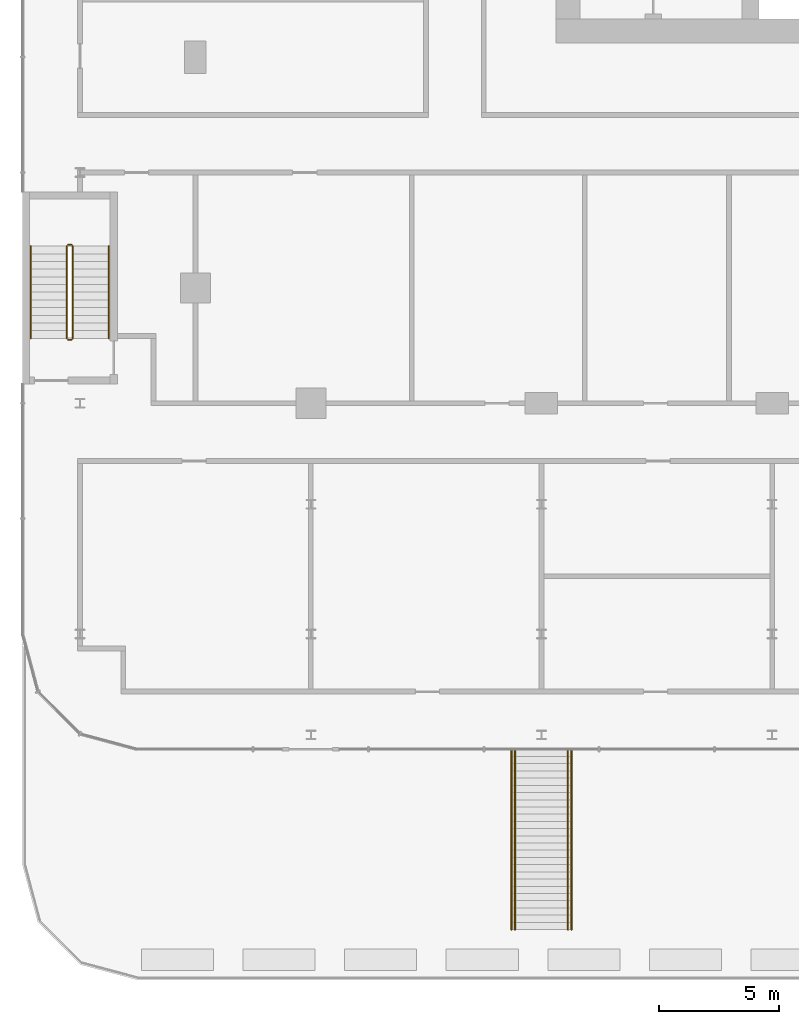
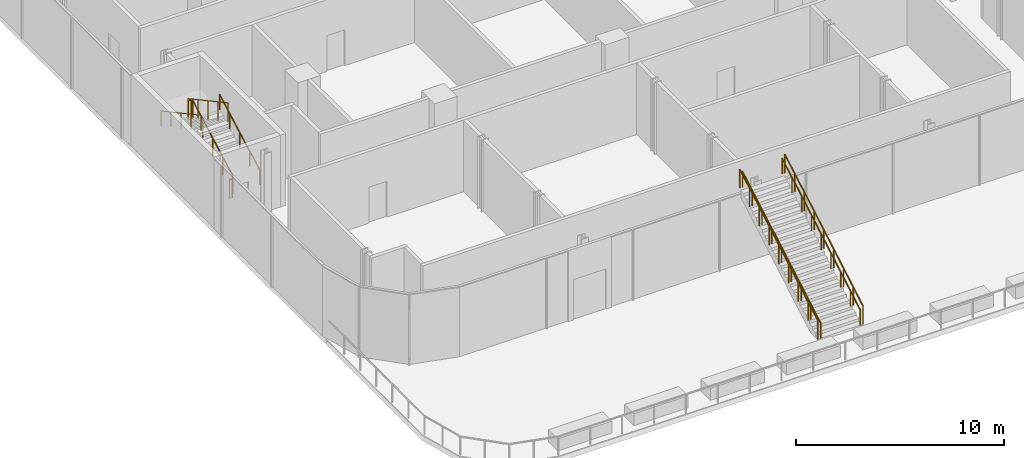
# One storey, part 33 of 38: 10 railings.
"""IFC4 building model written with IfcOpenShell, lengths in metres."""

from ifc_helpers import new_model, si_unit, direction, frame, origin, origin_2d, place, context, subcontext, project, spatial, circle, extrude, material, type_object, element, save


model = new_model("IFC4")

# Units and contexts
model_context = context("Model", 3, precision=1e-05, world=origin(), true_north=direction((0.0, 1.0)))
body_context = subcontext(model_context, "Body", "Model", "MODEL_VIEW")
ifc_project = project(units=[si_unit("LENGTHUNIT", "METRE"), si_unit("AREAUNIT", "SQUARE_METRE"), si_unit("VOLUMEUNIT", "CUBIC_METRE"), si_unit("PLANEANGLEUNIT", "RADIAN"), si_unit("MASSUNIT", "GRAM", prefix="KILO")], contexts=[model_context])

# Site, building, storey
site_placement = place(None, origin())
site = spatial("IfcSite", under=ifc_project, at=site_placement, CompositionType="ELEMENT")
building_placement = place(site_placement, origin())
building = spatial("IfcBuilding", under=site, at=building_placement, Name="Madar Terraces", CompositionType="ELEMENT")
storey_placement = place(building_placement, frame((0.0, 0.0, 15.0)))
storey = spatial("IfcBuildingStorey", under=building, at=storey_placement, Name="L03", CompositionType="ELEMENT", Elevation=15.0)

# Railings
ifc_material_1 = material(Name="Glass, safety glazing, with stainless steel posts", Category="steel")
railing_type_1 = type_object("IfcRailingType", Name="Cascade stair guard 1100", PredefinedType="GUARDRAIL", material=ifc_material_1)
for number, where, name in (
    (1, (13.14990234375, -21.89990234375, 0.173095703125), "Cascade stair guard L04 1"),
    (2, (15.64990234375, -21.89990234375, 0.173095703125), "Cascade stair guard L04 1"),
):
    element("IfcRailing", number, at=place(storey_placement, frame(where)), inside=storey, type_object=railing_type_1, Name=name, PredefinedType="GUARDRAIL", context=body_context, shape_type="SweptSolid", body=[
        extrude(circle(Radius=0.02392578125, at=origin_2d()), frame((0.0, 0.0, 1.076171875), z_axis=(0.0, 0.866186524876, 0.499720826184), x_axis=(-1.0, 0.0, 0.0)), (0.0, 0.0, 1.0), 8.65869140625),
        extrude(circle(Radius=0.02099609375, at=origin_2d()), origin(), (0.0, 0.0, 1.0), 1.052001953125),
        extrude(circle(Radius=0.02099609375, at=origin_2d()), frame((0.0, 0.9375, 0.540771484375)), (0.0, 0.0, 1.0), 1.052001953125),
        extrude(circle(Radius=0.02099609375, at=origin_2d()), frame((0.0, 1.875, 1.081787109375)), (0.0, 0.0, 1.0), 1.052001953125),
        extrude(circle(Radius=0.02099609375, at=origin_2d()), frame((0.0, 2.8125, 1.62255859375)), (0.0, 0.0, 1.0), 1.052001953125),
        extrude(circle(Radius=0.02099609375, at=origin_2d()), frame((0.0, 3.75, 2.16357421875)), (0.0, 0.0, 1.0), 1.052001953125),
        extrude(circle(Radius=0.02099609375, at=origin_2d()), frame((0.0, 4.6875, 2.704345703125)), (0.0, 0.0, 1.0), 1.052001953125),
        extrude(circle(Radius=0.02099609375, at=origin_2d()), frame((0.0, 5.625, 3.2451171875)), (0.0, 0.0, 1.0), 1.052001953125),
        extrude(circle(Radius=0.02099609375, at=origin_2d()), frame((0.0, 6.5625, 3.7861328125)), (0.0, 0.0, 1.0), 1.052001953125),
        extrude(circle(Radius=0.02099609375, at=origin_2d()), frame((0.0, 7.5, 4.326904296875)), (0.0, 0.0, 1.0), 1.052001953125),
    ])
ifc_material_2 = material(Name="Stainless steel", Category="steel")
railing_type_2 = type_object("IfcRailingType", Name="Cascade stair handrail 920", PredefinedType="HANDRAIL", material=ifc_material_2)
for number, where, name in (
    (3, (13.300048828125, -21.89990234375, 0.173095703125), "Cascade stair handrail L04 1"),
    (4, (15.5, -21.89990234375, 0.173095703125), "Cascade stair handrail L04 1"),
):
    element("IfcRailing", number, at=place(storey_placement, frame(where)), inside=storey, type_object=railing_type_2, Name=name, PredefinedType="HANDRAIL", context=body_context, shape_type="SweptSolid", body=[
        extrude(circle(Radius=0.02392578125, at=origin_2d()), frame((0.0, 0.0, 0.89599609375), z_axis=(0.0, 0.866186524876, 0.499720826184), x_axis=(-1.0, 0.0, 0.0)), (0.0, 0.0, 1.0), 8.65869140625),
        extrude(circle(Radius=0.02099609375, at=origin_2d()), origin(), (0.0, 0.0, 1.0), 0.871826171875),
        extrude(circle(Radius=0.02099609375, at=origin_2d()), frame((0.0, 0.9375, 0.540771484375)), (0.0, 0.0, 1.0), 0.871826171875),
        extrude(circle(Radius=0.02099609375, at=origin_2d()), frame((0.0, 1.875, 1.081787109375)), (0.0, 0.0, 1.0), 0.871826171875),
        extrude(circle(Radius=0.02099609375, at=origin_2d()), frame((0.0, 2.8125, 1.62255859375)), (0.0, 0.0, 1.0), 0.871826171875),
        extrude(circle(Radius=0.02099609375, at=origin_2d()), frame((0.0, 3.75, 2.16357421875)), (0.0, 0.0, 1.0), 0.871826171875),
        extrude(circle(Radius=0.02099609375, at=origin_2d()), frame((0.0, 4.6875, 2.704345703125)), (0.0, 0.0, 1.0), 0.871826171875),
        extrude(circle(Radius=0.02099609375, at=origin_2d()), frame((0.0, 5.625, 3.2451171875)), (0.0, 0.0, 1.0), 0.871826171875),
        extrude(circle(Radius=0.02099609375, at=origin_2d()), frame((0.0, 6.5625, 3.7861328125)), (0.0, 0.0, 1.0), 0.871826171875),
        extrude(circle(Radius=0.02099609375, at=origin_2d()), frame((0.0, 7.5, 4.326904296875)), (0.0, 0.0, 1.0), 0.871826171875),
    ])
ifc_material_3 = material(Name="Stainless steel railing", Category="steel")
railing_type_3 = type_object("IfcRailingType", Name="Stair guard 1100", PredefinedType="GUARDRAIL", material=ifc_material_3)
railing_1_placement = place(storey_placement, frame((-5.10009765625, 2.699951171875, 0.173095703125)))
element("IfcRailing", 5, at=railing_1_placement, inside=storey, type_object=railing_type_3, Name="L03 PS1 stair guard 1", PredefinedType="GUARDRAIL", context=body_context, shape_type="SweptSolid", body=[
    extrude(circle(Radius=0.02392578125, at=origin_2d()), frame((0.0, 0.0, 1.076171875), z_axis=(0.0, 0.879593317441, 0.475726387658), x_axis=(-1.0, 0.0, 0.0)), (0.0, 0.0, 1.0), 4.36572265625),
    extrude(circle(Radius=0.02099609375, at=origin_2d()), origin(), (0.0, 0.0, 1.0), 1.052001953125),
    extrude(circle(Radius=0.02099609375, at=origin_2d()), frame((0.0, 0.9599609375, 0.519287109375)), (0.0, 0.0, 1.0), 1.052001953125),
    extrude(circle(Radius=0.02099609375, at=origin_2d()), frame((0.0, 1.919921875, 1.03857421875)), (0.0, 0.0, 1.0), 1.052001953125),
    extrude(circle(Radius=0.02099609375, at=origin_2d()), frame((0.0, 2.880126953125, 1.5576171875)), (0.0, 0.0, 1.0), 1.052001953125),
    extrude(circle(Radius=0.02099609375, at=origin_2d()), frame((0.0, 3.840087890625, 2.076904296875)), (0.0, 0.0, 1.0), 1.052001953125),
])
railing_2_placement = place(storey_placement, frame((-5.14990234375, 6.590087890625, 2.25)))
element("IfcRailing", 6, at=railing_2_placement, inside=storey, type_object=railing_type_3, Name="L03 PS1 stair guard 2", PredefinedType="GUARDRAIL", context=body_context, shape_type="SweptSolid", body=[
    extrude(circle(Radius=0.02392578125, at=origin_2d()), frame((0.0, 0.0, 1.076171875), z_axis=(-1.0, 0.0, 0.0), x_axis=(0.0, -1.0, 0.0)), (0.0, 0.0, 1.0), 0.150146484375),
    extrude(circle(Radius=0.02099609375, at=origin_2d()), origin(), (0.0, 0.0, 1.0), 1.052001953125),
    extrude(circle(Radius=0.02099609375, at=origin_2d()), frame((-0.150146484375, 0.0, 0.0)), (0.0, 0.0, 1.0), 1.052001953125),
])
railing_3_placement = place(storey_placement, frame((-5.35009765625, 6.5400390625, 2.423095703125)))
element("IfcRailing", 7, at=railing_3_placement, inside=storey, type_object=railing_type_3, Name="L03 PS1 stair guard 3", PredefinedType="GUARDRAIL", context=body_context, shape_type="SweptSolid", body=[
    extrude(circle(Radius=0.02392578125, at=origin_2d()), frame((0.0, 0.0, 1.076171875), z_axis=(0.0, -0.879593317441, 0.475726387658), x_axis=(1.0, 0.0, 0.0)), (0.0, 0.0, 1.0), 4.36572265625),
    extrude(circle(Radius=0.02099609375, at=origin_2d()), origin(), (0.0, 0.0, 1.0), 1.052001953125),
    extrude(circle(Radius=0.02099609375, at=origin_2d()), frame((0.0, -0.9599609375, 0.519287109375)), (0.0, 0.0, 1.0), 1.052001953125),
    extrude(circle(Radius=0.02099609375, at=origin_2d()), frame((0.0, -1.919921875, 1.03857421875)), (0.0, 0.0, 1.0), 1.052001953125),
    extrude(circle(Radius=0.02099609375, at=origin_2d()), frame((0.0, -2.880126953125, 1.5576171875)), (0.0, 0.0, 1.0), 1.052001953125),
    extrude(circle(Radius=0.02099609375, at=origin_2d()), frame((0.0, -3.840087890625, 2.076904296875)), (0.0, 0.0, 1.0), 1.052001953125),
])
railing_4_placement = place(storey_placement, frame((-5.14990234375, 2.64990234375, 0.0)))
element("IfcRailing", 8, at=railing_4_placement, inside=storey, type_object=railing_type_3, Name="L03 PS1 stair guard 4", PredefinedType="GUARDRAIL", context=body_context, shape_type="SweptSolid", body=[
    extrude(circle(Radius=0.02392578125, at=origin_2d()), frame((0.0, 0.0, 1.076171875), z_axis=(-1.0, 0.0, 0.0), x_axis=(0.0, -1.0, 0.0)), (0.0, 0.0, 1.0), 0.150146484375),
    extrude(circle(Radius=0.02099609375, at=origin_2d()), origin(), (0.0, 0.0, 1.0), 1.052001953125),
    extrude(circle(Radius=0.02099609375, at=origin_2d()), frame((-0.150146484375, 0.0, 0.0)), (0.0, 0.0, 1.0), 1.052001953125),
])
ifc_material_4 = material(Name="Stainless steel railing", Category="steel")
railing_type_4 = type_object("IfcRailingType", Name="Stair handrail 900", PredefinedType="HANDRAIL", material=ifc_material_4)
railing_5_placement = place(storey_placement, frame((-3.60009765625, 2.699951171875, 0.173095703125)))
element("IfcRailing", 9, at=railing_5_placement, inside=storey, type_object=railing_type_4, Name="L03 PS1 stair handrail 1", PredefinedType="HANDRAIL", context=body_context, shape_type="SweptSolid", body=[
    extrude(circle(Radius=0.02392578125, at=origin_2d()), frame((0.0, 0.0, 0.8759765625), z_axis=(0.0, 0.879593317441, 0.475726387658), x_axis=(-1.0, 0.0, 0.0)), (0.0, 0.0, 1.0), 4.36572265625),
    extrude(circle(Radius=0.02099609375, at=origin_2d()), origin(), (0.0, 0.0, 1.0), 0.851806640625),
    extrude(circle(Radius=0.02099609375, at=origin_2d()), frame((0.0, 0.9599609375, 0.519287109375)), (0.0, 0.0, 1.0), 0.851806640625),
    extrude(circle(Radius=0.02099609375, at=origin_2d()), frame((0.0, 1.919921875, 1.03857421875)), (0.0, 0.0, 1.0), 0.851806640625),
    extrude(circle(Radius=0.02099609375, at=origin_2d()), frame((0.0, 2.880126953125, 1.5576171875)), (0.0, 0.0, 1.0), 0.851806640625),
    extrude(circle(Radius=0.02099609375, at=origin_2d()), frame((0.0, 3.840087890625, 2.076904296875)), (0.0, 0.0, 1.0), 0.851806640625),
])
railing_6_placement = place(storey_placement, frame((-6.85009765625, 6.5400390625, 2.423095703125)))
element("IfcRailing", 10, at=railing_6_placement, inside=storey, type_object=railing_type_4, Name="L03 PS1 stair handrail 2", PredefinedType="HANDRAIL", context=body_context, shape_type="SweptSolid", body=[
    extrude(circle(Radius=0.02392578125, at=origin_2d()), frame((0.0, 0.0, 0.8759765625), z_axis=(0.0, -0.879593317441, 0.475726387658), x_axis=(1.0, 0.0, 0.0)), (0.0, 0.0, 1.0), 4.36572265625),
    extrude(circle(Radius=0.02099609375, at=origin_2d()), origin(), (0.0, 0.0, 1.0), 0.851806640625),
    extrude(circle(Radius=0.02099609375, at=origin_2d()), frame((0.0, -0.9599609375, 0.519287109375)), (0.0, 0.0, 1.0), 0.851806640625),
    extrude(circle(Radius=0.02099609375, at=origin_2d()), frame((0.0, -1.919921875, 1.03857421875)), (0.0, 0.0, 1.0), 0.851806640625),
    extrude(circle(Radius=0.02099609375, at=origin_2d()), frame((0.0, -2.880126953125, 1.5576171875)), (0.0, 0.0, 1.0), 0.851806640625),
    extrude(circle(Radius=0.02099609375, at=origin_2d()), frame((0.0, -3.840087890625, 2.076904296875)), (0.0, 0.0, 1.0), 0.851806640625),
])

save(model, "model.ifc")
